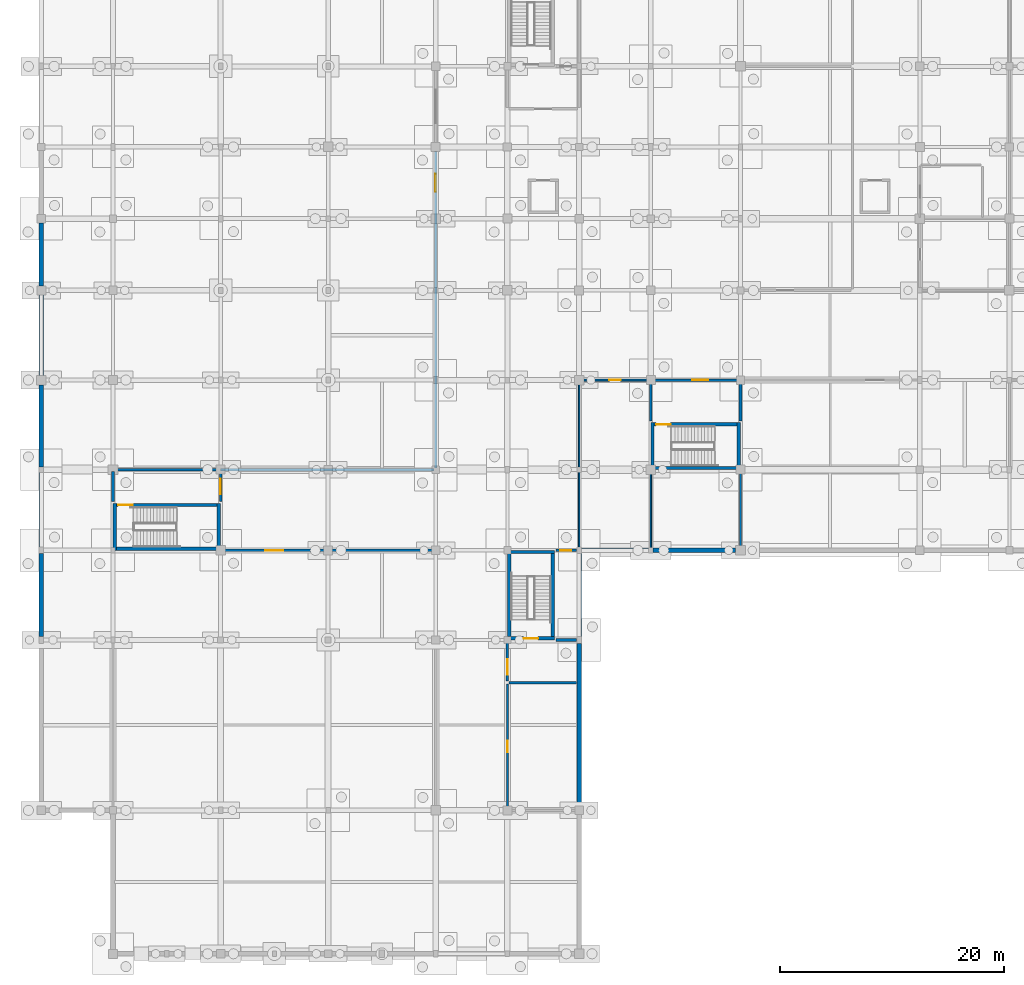
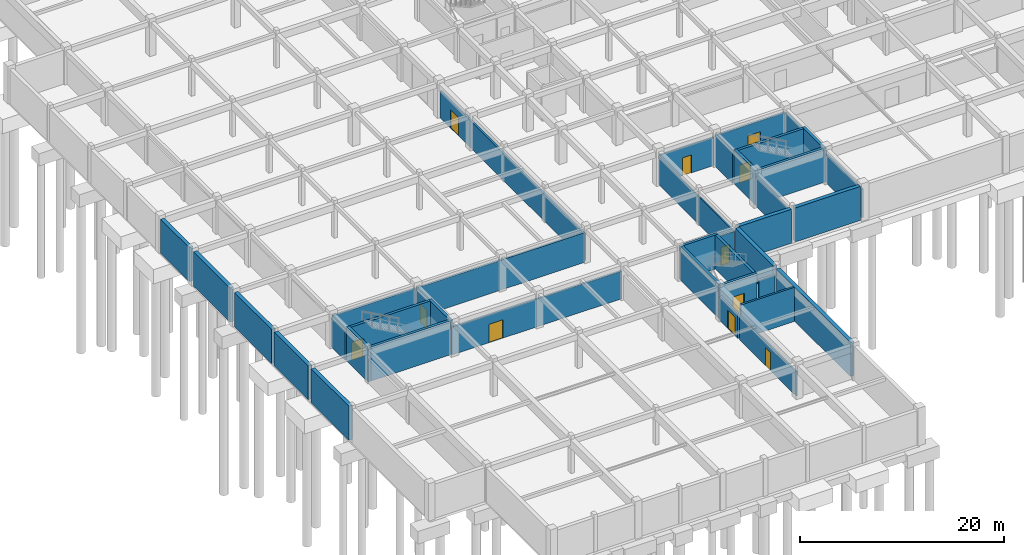
# One storey, part 17 of 28: 39 walls, 11 doors, 11 openings.
"""IFC4 building model written with IfcOpenShell, lengths in metres."""

from ifc_helpers import new_model, si_unit, direction, frame, frame_2d, origin, place, context, subcontext, project, spatial, rectangle, extrude, material, layer, layer_set, type_object, element, fill, save


model = new_model("IFC4")

# Units and contexts
model_context = context("Model", 3, precision=1e-05, world=origin(), true_north=direction((0.0, 1.0)))
body_context = subcontext(model_context, "Body", "Model", "MODEL_VIEW")
ifc_project = project(units=[si_unit("LENGTHUNIT", "METRE"), si_unit("AREAUNIT", "SQUARE_METRE"), si_unit("VOLUMEUNIT", "CUBIC_METRE"), si_unit("PLANEANGLEUNIT", "RADIAN"), si_unit("MASSUNIT", "GRAM", prefix="KILO")], contexts=[model_context])

# Site, building, storey
site_placement = place(None, origin())
site = spatial("IfcSite", under=ifc_project, at=site_placement, CompositionType="ELEMENT")
building_placement = place(site_placement, origin())
building = spatial("IfcBuilding", under=site, at=building_placement, Name="Vellmiral Cinema and Media Centre", CompositionType="ELEMENT")
storey_placement = place(building_placement, frame((0.0, 0.0, -4.5)))
storey = spatial("IfcBuildingStorey", under=building, at=storey_placement, Name="B1", CompositionType="ELEMENT", Elevation=-4.5)

# Walls
ifc_material_1 = material(Name="Concrete C30/37", Category="concrete")
ifc_layer_1 = layer(ifc_material_1, 0.419921875, Name="Concrete C30/37")
ifc_layer_set_1 = layer_set([ifc_layer_1], Name="Concrete C30/37")
wall_type_1 = type_object("IfcWallType", Name="WL-B1-RET-420", PredefinedType="SOLIDWALL", material=ifc_layer_set_1)
wall_1_placement = place(storey_placement, frame((48.0, 13.175048828125, 0.0), z_axis=(0.0, 0.0, 1.0), x_axis=(0.0, 1.0, 0.0)))
element("IfcWall", 1, at=wall_1_placement, inside=storey, type_object=wall_type_1, Name="Basement Retaining Wall B1-010", PredefinedType="SOLIDWALL", context=body_context, shape_type="SweptSolid", body=[
    extrude(rectangle(XDim=14.52490234375, YDim=0.419921875, at=frame_2d((7.262451171875, 0.0))), origin(), (0.0, 0.0, 1.0), 4.080078125),
])
wall_2_placement = place(storey_placement, frame((48.0, 28.300048828125, 0.0), z_axis=(0.0, 0.0, 1.0), x_axis=(0.0, 1.0, 0.0)))
element("IfcWall", 2, at=wall_2_placement, inside=storey, type_object=wall_type_1, Name="Basement Retaining Wall B1-011", PredefinedType="SOLIDWALL", context=body_context, shape_type="SweptSolid", body=[
    extrude(rectangle(XDim=7.39990234375, YDim=0.419921875, at=frame_2d((3.699951171875, 0.0))), origin(), (0.0, 0.0, 1.0), 4.080078125),
])
wall_3_placement = place(storey_placement, frame((48.199951171875, 36.0, 0.0), z_axis=(0.0, 0.0, 1.0), x_axis=(1.0, 0.0, 0.0)))
element("IfcWall", 3, at=wall_3_placement, inside=storey, type_object=wall_type_1, Name="Basement Retaining Wall B1-012", PredefinedType="SOLIDWALL", context=body_context, shape_type="SweptSolid", body=[
    extrude(rectangle(XDim=6.0, YDim=0.419921875, at=frame_2d((3.0, 0.0))), origin(), (0.0, 0.0, 1.0), 4.080078125),
])
wall_4_placement = place(storey_placement, frame((54.60009765625, 36.0, 0.0), z_axis=(0.0, 0.0, 1.0), x_axis=(1.0, 0.0, 0.0)))
element("IfcWall", 4, at=wall_4_placement, inside=storey, type_object=wall_type_1, Name="Basement Retaining Wall B1-013", PredefinedType="SOLIDWALL", context=body_context, shape_type="SweptSolid", body=[
    extrude(rectangle(XDim=7.375, YDim=0.419921875, at=frame_2d((3.6875, 0.0))), origin(), (0.0, 0.0, 1.0), 4.080078125),
])
wall_5_placement = place(storey_placement, frame((0.0, 65.22509765625, 0.0), z_axis=(0.0, 0.0, 1.0), x_axis=(0.0, -1.0, 0.0)))
element("IfcWall", 5, at=wall_5_placement, inside=storey, type_object=wall_type_1, Name="Basement Retaining Wall B1-073", PredefinedType="SOLIDWALL", context=body_context, shape_type="SweptSolid", body=[
    extrude(rectangle(XDim=5.625, YDim=0.419921875, at=frame_2d((2.8125, 0.0))), origin(), (0.0, 0.0, 1.0), 4.080078125),
])
wall_6_placement = place(storey_placement, frame((0.0, 58.800048828125, 0.0), z_axis=(0.0, 0.0, 1.0), x_axis=(0.0, -1.0, 0.0)))
element("IfcWall", 6, at=wall_6_placement, inside=storey, type_object=wall_type_1, Name="Basement Retaining Wall B1-074", PredefinedType="SOLIDWALL", context=body_context, shape_type="SweptSolid", body=[
    extrude(rectangle(XDim=7.175048828125, YDim=0.419921875, at=frame_2d((3.58740234375, 0.0))), origin(), (0.0, 0.0, 1.0), 4.080078125),
])
wall_7_placement = place(storey_placement, frame((0.0, 50.77490234375, 0.0), z_axis=(0.0, 0.0, 1.0), x_axis=(0.0, -1.0, 0.0)))
element("IfcWall", 7, at=wall_7_placement, inside=storey, type_object=wall_type_1, Name="Basement Retaining Wall B1-075", PredefinedType="SOLIDWALL", context=body_context, shape_type="SweptSolid", body=[
    extrude(rectangle(XDim=7.324951171875, YDim=0.419921875, at=frame_2d((3.66259765625, 0.0))), origin(), (0.0, 0.0, 1.0), 4.080078125),
])
wall_8_placement = place(storey_placement, frame((0.0, 42.949951171875, 0.0), z_axis=(0.0, 0.0, 1.0), x_axis=(0.0, -1.0, 0.0)))
element("IfcWall", 8, at=wall_8_placement, inside=storey, type_object=wall_type_1, Name="Basement Retaining Wall B1-076", PredefinedType="SOLIDWALL", context=body_context, shape_type="SweptSolid", body=[
    extrude(rectangle(XDim=6.64990234375, YDim=0.419921875, at=frame_2d((3.324951171875, 0.0))), origin(), (0.0, 0.0, 1.0), 4.080078125),
])
wall_9_placement = place(storey_placement, frame((0.0, 35.699951171875, 0.0), z_axis=(0.0, 0.0, 1.0), x_axis=(0.0, -1.0, 0.0)))
element("IfcWall", 9, at=wall_9_placement, inside=storey, type_object=wall_type_1, Name="Basement Retaining Wall B1-077", PredefinedType="SOLIDWALL", context=body_context, shape_type="SweptSolid", body=[
    extrude(rectangle(XDim=7.39990234375, YDim=0.419921875, at=frame_2d((3.699951171875, 0.0))), origin(), (0.0, 0.0, 1.0), 4.080078125),
])

# Wall, opening, door
ifc_material_2 = material(Name="Concrete C40/50", Category="concrete")
ifc_layer_2 = layer(ifc_material_2, 0.2099609375, Name="Concrete C40/50")
ifc_layer_set_2 = layer_set([ifc_layer_2], Name="Concrete C40/50")
wall_type_2 = type_object("IfcWallType", Name="WL-COMP-210", PredefinedType="SOLIDWALL", material=ifc_layer_set_2)
wall_10_placement = place(storey_placement, frame((45.93994140625, 36.0, 0.0), z_axis=(0.0, 0.0, 1.0), x_axis=(1.0, 0.0, 0.0)))
wall_10 = element("IfcWall", 10, at=wall_10_placement, inside=storey, type_object=wall_type_2, Name="West Core Smoke Riser Room Wall N", PredefinedType="SOLIDWALL", context=body_context, shape_type="SweptSolid", body=[
    extrude(rectangle(XDim=1.8349609375, YDim=0.2099609375, at=frame_2d((0.91748046875, 0.0))), origin(), (0.0, 0.0, 1.0), 3.625),
])
opening_1_placement = place(wall_10_placement, frame((0.360107421875, 0.0, 0.0)))
opening_1 = element("IfcOpeningElement", 11, at=opening_1_placement, cuts=wall_10, Name="Opening D-FD30B", PredefinedType="OPENING", context=body_context, shape_type="SweptSolid", body=[
    extrude(rectangle(XDim=1.0, YDim=2.14990234375, at=frame_2d((0.5, 1.074951171875))), frame((0.0, 0.116943359375, 0.0), z_axis=(0.0, -1.0, 0.0), x_axis=(1.0, 0.0, 0.0)), (0.0, 0.0, 1.0), 0.23388671875),
])
ifc_material_3 = material(Name="Steel Riser Fire Door", Category="steel")
door_type_1 = type_object("IfcDoorType", Name="DR-FD30-1000x2150", OperationType="NOTDEFINED", PredefinedType="DOOR", material=ifc_material_3)
door_1_placement = place(opening_1_placement, frame((1.0, 0.0, 0.0), z_axis=(0.0, 0.0, 1.0), x_axis=(-1.0, 0.0, 0.0)))
door_1 = element("IfcDoor", 12, at=door_1_placement, inside=storey, type_object=door_type_1, Name="West Core Smoke Riser Room Door", OperationType="SINGLE_SWING_RIGHT", OverallHeight=2.14990234375, OverallWidth=1.0, PredefinedType="DOOR", context=body_context, shape_type="SweptSolid", body=[
    extrude(rectangle(XDim=1.0, YDim=2.14990234375, at=frame_2d((0.5, 1.074951171875))), frame((0.0, 0.02490234375, 0.0), z_axis=(0.0, -1.0, 0.0), x_axis=(1.0, 0.0, 0.0)), (0.0, 0.0, 1.0), 0.050048828125),
])
fill(opening_1, door_1)

# Wall
wall_11_placement = place(storey_placement, frame((16.0, 43.199951171875, 0.0), z_axis=(0.0, 0.0, 1.0), x_axis=(1.0, 0.0, 0.0)))
element("IfcWall", 13, at=wall_11_placement, inside=storey, type_object=wall_type_2, Name="Car Park Drive Aisle North-West Wall S", PredefinedType="SOLIDWALL", context=body_context, shape_type="SweptSolid", body=[
    extrude(rectangle(XDim=19.06005859375, YDim=0.2099609375, at=frame_2d((9.530029296875, 0.0))), origin(), (0.0, 0.0, 1.0), 3.574951171875),
])

# Wall, opening, door
wall_12_placement = place(storey_placement, frame((35.199951171875, 43.340087890625, 0.0), z_axis=(0.0, 0.0, 1.0), x_axis=(0.0, 1.0, 0.0)))
wall_12 = element("IfcWall", 14, at=wall_12_placement, inside=storey, type_object=wall_type_2, Name="Car Park Drive Aisle North-West Wall E", PredefinedType="SOLIDWALL", context=body_context, shape_type="SweptSolid", body=[
    extrude(rectangle(XDim=28.260009765625, YDim=0.2099609375, at=frame_2d((14.1298828125, 0.0))), origin(), (0.0, 0.0, 1.0), 3.22509765625),
])
opening_2_placement = place(wall_12_placement, frame((24.659912109375, 0.0, 0.0)))
opening_2 = element("IfcOpeningElement", 15, at=opening_2_placement, cuts=wall_12, Name="Opening D-FD60A", PredefinedType="OPENING", context=body_context, shape_type="SweptSolid", body=[
    extrude(rectangle(XDim=1.60009765625, YDim=2.199951171875, at=frame_2d((0.800048828125, 1.10009765625))), frame((0.0, 0.116943359375, 0.0), z_axis=(0.0, -1.0, 0.0), x_axis=(1.0, 0.0, 0.0)), (0.0, 0.0, 1.0), 0.23388671875),
])
ifc_material_4 = material(Name="Steel Fire Door", Category="steel")
door_type_2 = type_object("IfcDoorType", Name="DR-FD60-1600x2200", OperationType="DOUBLE_DOOR_SINGLE_SWING", PredefinedType="DOOR", material=ifc_material_4)
door_2_placement = place(opening_2_placement, frame((1.60009765625, 0.0, 0.0), z_axis=(0.0, 0.0, 1.0), x_axis=(-1.0, 0.0, 0.0)))
door_2 = element("IfcDoor", 16, at=door_2_placement, inside=storey, type_object=door_type_2, Name="Car Park Drive Aisle North-West Door", OperationType="DOUBLE_DOOR_SINGLE_SWING", OverallHeight=2.199951171875, OverallWidth=1.60009765625, PredefinedType="DOOR", context=body_context, shape_type="SweptSolid", body=[
    extrude(rectangle(XDim=1.60009765625, YDim=2.199951171875, at=frame_2d((0.800048828125, 1.10009765625))), frame((0.0, 0.02490234375, 0.0), z_axis=(0.0, -1.0, 0.0), x_axis=(1.0, 0.0, 0.0)), (0.0, 0.0, 1.0), 0.050048828125),
])
fill(opening_2, door_2)

wall_13_placement = place(storey_placement, frame((15.840087890625, 36.0, 0.0), z_axis=(0.0, 0.0, 1.0), x_axis=(1.0, 0.0, 0.0)))
wall_13 = element("IfcWall", 17, at=wall_13_placement, inside=storey, type_object=wall_type_2, Name="West Underground Car Parking Hall Wall N", PredefinedType="SOLIDWALL", context=body_context, shape_type="SweptSolid", body=[
    extrude(rectangle(XDim=19.219970703125, YDim=0.2099609375, at=frame_2d((9.60986328125, 0.0))), origin(), (0.0, 0.0, 1.0), 3.324951171875),
])
opening_3_placement = place(wall_13_placement, frame((4.159912109375, 0.0, 0.0)))
opening_3 = element("IfcOpeningElement", 18, at=opening_3_placement, cuts=wall_13, Name="Opening D-FD60A", PredefinedType="OPENING", context=body_context, shape_type="SweptSolid", body=[
    extrude(rectangle(XDim=1.60009765625, YDim=2.199951171875, at=frame_2d((0.800048828125, 1.10009765625))), frame((0.0, 0.116943359375, 0.0), z_axis=(0.0, -1.0, 0.0), x_axis=(1.0, 0.0, 0.0)), (0.0, 0.0, 1.0), 0.23388671875),
])
door_3_placement = place(opening_3_placement, origin())
door_3 = element("IfcDoor", 19, at=door_3_placement, inside=storey, type_object=door_type_2, Name="West Underground Car Parking Hall Door", OperationType="DOUBLE_DOOR_SINGLE_SWING", OverallHeight=2.199951171875, OverallWidth=1.60009765625, PredefinedType="DOOR", context=body_context, shape_type="SweptSolid", body=[
    extrude(rectangle(XDim=1.60009765625, YDim=2.199951171875, at=frame_2d((0.800048828125, 1.10009765625))), frame((0.0, 0.02490234375, 0.0), z_axis=(0.0, -1.0, 0.0), x_axis=(1.0, 0.0, 0.0)), (0.0, 0.0, 1.0), 0.050048828125),
])
fill(opening_3, door_3)

# Wall
wall_14_placement = place(storey_placement, frame((62.39990234375, 36.10498046875, 0.0), z_axis=(0.0, 0.0, 1.0), x_axis=(0.0, 1.0, 0.0)))
element("IfcWall", 20, at=wall_14_placement, inside=storey, type_object=wall_type_2, Name="Covered Bicycle Parking Hall Wall W", PredefinedType="SOLIDWALL", context=body_context, shape_type="SweptSolid", body=[
    extrude(rectangle(XDim=6.955078125, YDim=0.2099609375, at=frame_2d((3.4775390625, 0.0))), origin(), (0.0, 0.0, 1.0), 3.425048828125),
])

# Wall, opening, door
ifc_material_5 = material(Name="Concrete C40/50", Category="concrete")
ifc_layer_3 = layer(ifc_material_5, 0.300048828125, Name="Concrete C40/50")
ifc_layer_set_3 = layer_set([ifc_layer_3], Name="Concrete C40/50")
wall_type_3 = type_object("IfcWallType", Name="WL-CORE-300", PredefinedType="SHEAR", material=ifc_layer_set_3)
wall_15_placement = place(storey_placement, frame((41.60009765625, 28.14990234375, 0.0), z_axis=(0.0, 0.0, 1.0), x_axis=(1.0, 0.0, 0.0)))
wall_15 = element("IfcWall", 21, at=wall_15_placement, inside=storey, type_object=wall_type_3, Name="Stair Core Wall ST-P1 B1-S", PredefinedType="SHEAR", context=body_context, shape_type="SweptSolid", body=[
    extrude(rectangle(XDim=4.199951171875, YDim=0.300048828125, at=frame_2d((2.10009765625, 0.0))), origin(), (0.0, 0.0, 1.0), 4.080078125),
])
opening_4_placement = place(wall_15_placement, frame((1.449951171875, 0.0, 0.0)))
opening_4 = element("IfcOpeningElement", 22, at=opening_4_placement, cuts=wall_15, Name="Opening D-FD30A", PredefinedType="OPENING", context=body_context, shape_type="SweptSolid", body=[
    extrude(rectangle(XDim=1.300048828125, YDim=2.179931640625, at=frame_2d((0.64990234375, 1.08984375))), frame((0.0, 0.162109375, 0.0), z_axis=(0.0, -1.0, 0.0), x_axis=(1.0, 0.0, 0.0)), (0.0, 0.0, 1.0), 0.323974609375),
])
ifc_material_6 = material(Name="Steel Stair Fire Door", Category="steel")
door_type_3 = type_object("IfcDoorType", Name="DR-FD30-1300x2180", OperationType="NOTDEFINED", PredefinedType="DOOR", material=ifc_material_6)
door_4_placement = place(opening_4_placement, origin())
door_4 = element("IfcDoor", 23, at=door_4_placement, inside=storey, type_object=door_type_3, Name="Protected Stair Door ST-P1 B1", OperationType="SINGLE_SWING_LEFT", OverallHeight=2.179931640625, OverallWidth=1.300048828125, PredefinedType="DOOR", context=body_context, shape_type="SweptSolid", body=[
    extrude(rectangle(XDim=1.300048828125, YDim=2.179931640625, at=frame_2d((0.64990234375, 1.08984375))), frame((0.0, 0.02490234375, 0.0), z_axis=(0.0, -1.0, 0.0), x_axis=(1.0, 0.0, 0.0)), (0.0, 0.0, 1.0), 0.050048828125),
])
fill(opening_4, door_4)

# Walls
wall_16_placement = place(storey_placement, frame((41.60009765625, 35.85009765625, 0.0), z_axis=(0.0, 0.0, 1.0), x_axis=(1.0, 0.0, 0.0)))
element("IfcWall", 24, at=wall_16_placement, inside=storey, type_object=wall_type_3, Name="Stair Core Wall ST-P1 B1-N", PredefinedType="SHEAR", context=body_context, shape_type="SweptSolid", body=[
    extrude(rectangle(XDim=4.199951171875, YDim=0.300048828125, at=frame_2d((2.10009765625, 0.0))), origin(), (0.0, 0.0, 1.0), 4.080078125),
])
for number, where, z_axis, x_axis, name in (
    (25, (41.75, 28.300048828125, 0.0), (0.0, 0.0, 1.0), (0.0, 1.0, 0.0), "Stair Core Wall ST-P1 B1-W"),
    (26, (45.64990234375, 28.300048828125, 0.0), (0.0, 0.0, 1.0), (0.0, 1.0, 0.0), "Stair Core Wall ST-P1 B1-E"),
):
    element("IfcWall", number, at=place(storey_placement, frame(where, z_axis=z_axis, x_axis=x_axis)), inside=storey, type_object=wall_type_3, Name=name, PredefinedType="SHEAR", context=body_context, shape_type="SweptSolid", body=[
        extrude(rectangle(XDim=7.39990234375, YDim=0.300048828125, at=frame_2d((3.699951171875, 0.0))), origin(), (0.0, 0.0, 1.0), 4.080078125),
    ])
for number, where, z_axis, x_axis, name in (
    (27, (54.550048828125, 43.199951171875, 0.0), (0.0, 0.0, 1.0), (0.0, 1.0, 0.0), "Stair Core Wall ST-P3 B1-W"),
    (28, (62.25, 43.199951171875, 0.0), (0.0, 0.0, 1.0), (0.0, 1.0, 0.0), "Stair Core Wall ST-P3 B1-E"),
):
    element("IfcWall", number, at=place(storey_placement, frame(where, z_axis=z_axis, x_axis=x_axis)), inside=storey, type_object=wall_type_3, Name=name, PredefinedType="SHEAR", context=body_context, shape_type="SweptSolid", body=[
        extrude(rectangle(XDim=4.199951171875, YDim=0.300048828125, at=frame_2d((2.10009765625, 0.0))), origin(), (0.0, 0.0, 1.0), 4.080078125),
    ])
wall_17_placement = place(storey_placement, frame((54.699951171875, 43.35009765625, 0.0), z_axis=(0.0, 0.0, 1.0), x_axis=(1.0, 0.0, 0.0)))
element("IfcWall", 29, at=wall_17_placement, inside=storey, type_object=wall_type_3, Name="Stair Core Wall ST-P3 B1-S", PredefinedType="SHEAR", context=body_context, shape_type="SweptSolid", body=[
    extrude(rectangle(XDim=7.400146484375, YDim=0.300048828125, at=frame_2d((3.7001953125, 0.0))), origin(), (0.0, 0.0, 1.0), 4.080078125),
])

# Wall, opening, door
wall_18_placement = place(storey_placement, frame((54.699951171875, 47.25, 0.0), z_axis=(0.0, 0.0, 1.0), x_axis=(1.0, 0.0, 0.0)))
wall_18 = element("IfcWall", 30, at=wall_18_placement, inside=storey, type_object=wall_type_3, Name="Stair Core Wall ST-P3 B1-N", PredefinedType="SHEAR", context=body_context, shape_type="SweptSolid", body=[
    extrude(rectangle(XDim=7.400146484375, YDim=0.300048828125, at=frame_2d((3.7001953125, 0.0))), origin(), (0.0, 0.0, 1.0), 4.080078125),
])
opening_5_placement = place(wall_18_placement, frame((0.159912109375, 0.0, 0.0)))
opening_5 = element("IfcOpeningElement", 31, at=opening_5_placement, cuts=wall_18, Name="Opening D-FD30A", PredefinedType="OPENING", context=body_context, shape_type="SweptSolid", body=[
    extrude(rectangle(XDim=1.300048828125, YDim=2.179931640625, at=frame_2d((0.64990234375, 1.08984375))), frame((0.0, 0.162109375, 0.0), z_axis=(0.0, -1.0, 0.0), x_axis=(1.0, 0.0, 0.0)), (0.0, 0.0, 1.0), 0.323974609375),
])
door_5_placement = place(opening_5_placement, frame((1.300048828125, 0.0, 0.0), z_axis=(0.0, 0.0, 1.0), x_axis=(-1.0, 0.0, 0.0)))
door_5 = element("IfcDoor", 32, at=door_5_placement, inside=storey, type_object=door_type_3, Name="Protected Stair Door ST-P3 B1", OperationType="SINGLE_SWING_RIGHT", OverallHeight=2.179931640625, OverallWidth=1.300048828125, PredefinedType="DOOR", context=body_context, shape_type="SweptSolid", body=[
    extrude(rectangle(XDim=1.300048828125, YDim=2.179931640625, at=frame_2d((0.64990234375, 1.08984375))), frame((0.0, 0.02490234375, 0.0), z_axis=(0.0, -1.0, 0.0), x_axis=(1.0, 0.0, 0.0)), (0.0, 0.0, 1.0), 0.050048828125),
])
fill(opening_5, door_5)

# Walls
for number, where, z_axis, x_axis, name in (
    (33, (6.550048828125, 36.0, 0.0), (0.0, 0.0, 1.0), (0.0, 1.0, 0.0), "Stair Core Wall ST-P7 B1-W"),
    (34, (15.85009765625, 36.0, 0.0), (0.0, 0.0, 1.0), (0.0, 1.0, 0.0), "Stair Core Wall ST-P7 B1-E"),
):
    element("IfcWall", number, at=place(storey_placement, frame(where, z_axis=z_axis, x_axis=x_axis)), inside=storey, type_object=wall_type_3, Name=name, PredefinedType="SHEAR", context=body_context, shape_type="SweptSolid", body=[
        extrude(rectangle(XDim=4.199951171875, YDim=0.300048828125, at=frame_2d((2.10009765625, 0.0))), origin(), (0.0, 0.0, 1.0), 4.080078125),
    ])
wall_19_placement = place(storey_placement, frame((6.699951171875, 36.14990234375, 0.0), z_axis=(0.0, 0.0, 1.0), x_axis=(1.0, 0.0, 0.0)))
element("IfcWall", 35, at=wall_19_placement, inside=storey, type_object=wall_type_3, Name="Stair Core Wall ST-P7 B1-S", PredefinedType="SHEAR", context=body_context, shape_type="SweptSolid", body=[
    extrude(rectangle(XDim=9.0, YDim=0.300048828125, at=frame_2d((4.5, 0.0))), origin(), (0.0, 0.0, 1.0), 4.080078125),
])

# Wall, opening, door
wall_20_placement = place(storey_placement, frame((6.699951171875, 40.050048828125, 0.0), z_axis=(0.0, 0.0, 1.0), x_axis=(1.0, 0.0, 0.0)))
wall_20 = element("IfcWall", 36, at=wall_20_placement, inside=storey, type_object=wall_type_3, Name="Stair Core Wall ST-P7 B1-N", PredefinedType="SHEAR", context=body_context, shape_type="SweptSolid", body=[
    extrude(rectangle(XDim=9.0, YDim=0.300048828125, at=frame_2d((4.5, 0.0))), origin(), (0.0, 0.0, 1.0), 4.080078125),
])
opening_6_placement = place(wall_20_placement, frame((0.159912109375, 0.0, 0.0)))
opening_6 = element("IfcOpeningElement", 37, at=opening_6_placement, cuts=wall_20, Name="Opening D-FD30A", PredefinedType="OPENING", context=body_context, shape_type="SweptSolid", body=[
    extrude(rectangle(XDim=1.300048828125, YDim=2.179931640625, at=frame_2d((0.64990234375, 1.08984375))), frame((0.0, 0.162109375, 0.0), z_axis=(0.0, -1.0, 0.0), x_axis=(1.0, 0.0, 0.0)), (0.0, 0.0, 1.0), 0.323974609375),
])
door_6_placement = place(opening_6_placement, frame((1.300048828125, 0.0, 0.0), z_axis=(0.0, 0.0, 1.0), x_axis=(-1.0, 0.0, 0.0)))
door_6 = element("IfcDoor", 38, at=door_6_placement, inside=storey, type_object=door_type_3, Name="Protected Stair Door ST-P7 B1", OperationType="SINGLE_SWING_RIGHT", OverallHeight=2.179931640625, OverallWidth=1.300048828125, PredefinedType="DOOR", context=body_context, shape_type="SweptSolid", body=[
    extrude(rectangle(XDim=1.300048828125, YDim=2.179931640625, at=frame_2d((0.64990234375, 1.08984375))), frame((0.0, 0.02490234375, 0.0), z_axis=(0.0, -1.0, 0.0), x_axis=(1.0, 0.0, 0.0)), (0.0, 0.0, 1.0), 0.050048828125),
])
fill(opening_6, door_6)

# Walls
ifc_material_7 = material(Name="Concrete C40/50", Category="concrete")
ifc_layer_4 = layer(ifc_material_7, 0.22998046875, Name="Concrete C40/50")
ifc_layer_set_4 = layer_set([ifc_layer_4], Name="Concrete C40/50")
wall_type_4 = type_object("IfcWallType", Name="WL-FFL-230", PredefinedType="SOLIDWALL", material=ifc_layer_set_4)
wall_21_placement = place(storey_placement, frame((41.739990234375, 24.199951171875, 0.0), z_axis=(0.0, 0.0, 1.0), x_axis=(1.0, 0.0, 0.0)))
element("IfcWall", 39, at=wall_21_placement, inside=storey, type_object=wall_type_4, Name="Firefighting Stair Lobby ST-P1 Wall S", PredefinedType="SOLIDWALL", context=body_context, shape_type="SweptSolid", body=[
    extrude(rectangle(XDim=6.034912109375, YDim=0.22998046875, at=frame_2d((3.017578125, 0.0))), origin(), (0.0, 0.0, 1.0), 4.080078125),
])
wall_22_placement = place(storey_placement, frame((45.93994140625, 28.0, 0.0), z_axis=(0.0, 0.0, 1.0), x_axis=(1.0, 0.0, 0.0)))
element("IfcWall", 40, at=wall_22_placement, inside=storey, type_object=wall_type_4, Name="Firefighting Stair Lobby ST-P1 Wall N", PredefinedType="SOLIDWALL", context=body_context, shape_type="SweptSolid", body=[
    extrude(rectangle(XDim=1.8349609375, YDim=0.22998046875, at=frame_2d((0.91748046875, 0.0))), origin(), (0.0, 0.0, 1.0), 3.22509765625),
])

# Wall, opening, door
wall_23_placement = place(storey_placement, frame((41.60009765625, 24.340087890625, 0.0), z_axis=(0.0, 0.0, 1.0), x_axis=(0.0, 1.0, 0.0)))
wall_23 = element("IfcWall", 41, at=wall_23_placement, inside=storey, type_object=wall_type_4, Name="Firefighting Stair Lobby ST-P1 Wall W", PredefinedType="SOLIDWALL", context=body_context, shape_type="SweptSolid", body=[
    extrude(rectangle(XDim=3.52001953125, YDim=0.22998046875, at=frame_2d((1.760009765625, 0.0))), origin(), (0.0, 0.0, 1.0), 2.925048828125),
])
opening_7_placement = place(wall_23_placement, frame((0.56005859375, 0.0, 0.0)))
opening_7 = element("IfcOpeningElement", 42, at=opening_7_placement, cuts=wall_23, Name="Opening D-FD60B", PredefinedType="OPENING", context=body_context, shape_type="SweptSolid", body=[
    extrude(rectangle(XDim=1.39990234375, YDim=2.199951171875, at=frame_2d((0.699951171875, 1.10009765625))), frame((0.0, 0.126953125, 0.0), z_axis=(0.0, -1.0, 0.0), x_axis=(1.0, 0.0, 0.0)), (0.0, 0.0, 1.0), 0.25390625),
])
ifc_material_8 = material(Name="Steel Fire Door", Category="steel")
door_type_4 = type_object("IfcDoorType", Name="DR-FD60-1400x2200", OperationType="NOTDEFINED", PredefinedType="DOOR", material=ifc_material_8)
door_7_placement = place(opening_7_placement, frame((1.39990234375, 0.0, 0.0), z_axis=(0.0, 0.0, 1.0), x_axis=(-1.0, 0.0, 0.0)))
door_7 = element("IfcDoor", 43, at=door_7_placement, inside=storey, type_object=door_type_4, Name="Firefighting Stair Lobby ST-P1 Door", OperationType="SINGLE_SWING_RIGHT", OverallHeight=2.199951171875, OverallWidth=1.39990234375, PredefinedType="DOOR", context=body_context, shape_type="SweptSolid", body=[
    extrude(rectangle(XDim=1.39990234375, YDim=2.199951171875, at=frame_2d((0.699951171875, 1.10009765625))), frame((0.0, 0.02490234375, 0.0), z_axis=(0.0, -1.0, 0.0), x_axis=(1.0, 0.0, 0.0)), (0.0, 0.0, 1.0), 0.050048828125),
])
fill(opening_7, door_7)

wall_24_placement = place(storey_placement, frame((54.5400390625, 51.199951171875, 0.0), z_axis=(0.0, 0.0, 1.0), x_axis=(1.0, 0.0, 0.0)))
wall_24 = element("IfcWall", 44, at=wall_24_placement, inside=storey, type_object=wall_type_4, Name="Firefighting Stair Lobby ST-P3 Wall N", PredefinedType="SOLIDWALL", context=body_context, shape_type="SweptSolid", body=[
    extrude(rectangle(XDim=7.719970703125, YDim=0.22998046875, at=frame_2d((3.85986328125, 0.0))), origin(), (0.0, 0.0, 1.0), 3.52490234375),
])
opening_8_placement = place(wall_24_placement, frame((3.56005859375, 0.0, 0.0)))
opening_8 = element("IfcOpeningElement", 45, at=opening_8_placement, cuts=wall_24, Name="Opening D-FD60B", PredefinedType="OPENING", context=body_context, shape_type="SweptSolid", body=[
    extrude(rectangle(XDim=1.39990234375, YDim=2.199951171875, at=frame_2d((0.699951171875, 1.10009765625))), frame((0.0, 0.126953125, 0.0), z_axis=(0.0, -1.0, 0.0), x_axis=(1.0, 0.0, 0.0)), (0.0, 0.0, 1.0), 0.25390625),
])
door_8_placement = place(opening_8_placement, frame((1.39990234375, 0.0, 0.0), z_axis=(0.0, 0.0, 1.0), x_axis=(-1.0, 0.0, 0.0)))
door_8 = element("IfcDoor", 46, at=door_8_placement, inside=storey, type_object=door_type_4, Name="Firefighting Stair Lobby ST-P3 Door", OperationType="SINGLE_SWING_LEFT", OverallHeight=2.199951171875, OverallWidth=1.39990234375, PredefinedType="DOOR", context=body_context, shape_type="SweptSolid", body=[
    extrude(rectangle(XDim=1.39990234375, YDim=2.199951171875, at=frame_2d((0.699951171875, 1.10009765625))), frame((0.0, 0.02490234375, 0.0), z_axis=(0.0, -1.0, 0.0), x_axis=(1.0, 0.0, 0.0)), (0.0, 0.0, 1.0), 0.050048828125),
])
fill(opening_8, door_8)

# Walls
wall_25_placement = place(storey_placement, frame((54.39990234375, 47.5400390625, 0.0), z_axis=(0.0, 0.0, 1.0), x_axis=(0.0, 1.0, 0.0)))
element("IfcWall", 47, at=wall_25_placement, inside=storey, type_object=wall_type_4, Name="Firefighting Stair Lobby ST-P3 Wall W", PredefinedType="SOLIDWALL", context=body_context, shape_type="SweptSolid", body=[
    extrude(rectangle(XDim=3.52001953125, YDim=0.22998046875, at=frame_2d((1.760009765625, 0.0))), origin(), (0.0, 0.0, 1.0), 3.625),
])
wall_26_placement = place(storey_placement, frame((62.39990234375, 47.5400390625, 0.0), z_axis=(0.0, 0.0, 1.0), x_axis=(0.0, 1.0, 0.0)))
element("IfcWall", 48, at=wall_26_placement, inside=storey, type_object=wall_type_4, Name="Firefighting Stair Lobby ST-P3 Wall E", PredefinedType="SOLIDWALL", context=body_context, shape_type="SweptSolid", body=[
    extrude(rectangle(XDim=3.52001953125, YDim=0.22998046875, at=frame_2d((1.760009765625, 0.0))), origin(), (0.0, 0.0, 1.0), 3.52490234375),
])
wall_27_placement = place(storey_placement, frame((6.5400390625, 43.199951171875, 0.0), z_axis=(0.0, 0.0, 1.0), x_axis=(1.0, 0.0, 0.0)))
element("IfcWall", 49, at=wall_27_placement, inside=storey, type_object=wall_type_4, Name="Firefighting Stair Lobby ST-P7 Wall N", PredefinedType="SOLIDWALL", context=body_context, shape_type="SweptSolid", body=[
    extrude(rectangle(XDim=9.320068359375, YDim=0.22998046875, at=frame_2d((4.66015625, 0.0))), origin(), (0.0, 0.0, 1.0), 3.574951171875),
])
wall_28_placement = place(storey_placement, frame((6.39990234375, 40.340087890625, 0.0), z_axis=(0.0, 0.0, 1.0), x_axis=(0.0, 1.0, 0.0)))
element("IfcWall", 50, at=wall_28_placement, inside=storey, type_object=wall_type_4, Name="Firefighting Stair Lobby ST-P7 Wall W", PredefinedType="SOLIDWALL", context=body_context, shape_type="SweptSolid", body=[
    extrude(rectangle(XDim=2.719970703125, YDim=0.22998046875, at=frame_2d((1.35986328125, 0.0))), origin(), (0.0, 0.0, 1.0), 3.47509765625),
])

# Wall, opening, door
wall_29_placement = place(storey_placement, frame((16.0, 40.340087890625, 0.0), z_axis=(0.0, 0.0, 1.0), x_axis=(0.0, 1.0, 0.0)))
wall_29 = element("IfcWall", 51, at=wall_29_placement, inside=storey, type_object=wall_type_4, Name="Firefighting Stair Lobby ST-P7 Wall E", PredefinedType="SOLIDWALL", context=body_context, shape_type="SweptSolid", body=[
    extrude(rectangle(XDim=2.719970703125, YDim=0.22998046875, at=frame_2d((1.35986328125, 0.0))), origin(), (0.0, 0.0, 1.0), 3.47509765625),
])
opening_9_placement = place(wall_29_placement, frame((0.659912109375, 0.0, 0.0)))
opening_9 = element("IfcOpeningElement", 52, at=opening_9_placement, cuts=wall_29, Name="Opening D-FD60B", PredefinedType="OPENING", context=body_context, shape_type="SweptSolid", body=[
    extrude(rectangle(XDim=1.39990234375, YDim=2.199951171875, at=frame_2d((0.699951171875, 1.10009765625))), frame((0.0, 0.126953125, 0.0), z_axis=(0.0, -1.0, 0.0), x_axis=(1.0, 0.0, 0.0)), (0.0, 0.0, 1.0), 0.25390625),
])
door_9_placement = place(opening_9_placement, origin())
door_9 = element("IfcDoor", 53, at=door_9_placement, inside=storey, type_object=door_type_4, Name="Firefighting Stair Lobby ST-P7 Door", OperationType="SINGLE_SWING_LEFT", OverallHeight=2.199951171875, OverallWidth=1.39990234375, PredefinedType="DOOR", context=body_context, shape_type="SweptSolid", body=[
    extrude(rectangle(XDim=1.39990234375, YDim=2.199951171875, at=frame_2d((0.699951171875, 1.10009765625))), frame((0.0, 0.02490234375, 0.0), z_axis=(0.0, -1.0, 0.0), x_axis=(1.0, 0.0, 0.0)), (0.0, 0.0, 1.0), 0.050048828125),
])
fill(opening_9, door_9)

# Wall
ifc_material_9 = material(Name="Gypsum Plasterboard")
ifc_layer_5 = layer(ifc_material_9, 0.02490234375, Name="Gypsum Plasterboard", Category="gypsum")
ifc_material_10 = material(Name="Mineral Wool Acoustic Insulation", Category="insulation")
ifc_layer_6 = layer(ifc_material_10, 0.080078125, Name="Mineral Wool Acoustic Insulation", Category="insulation")
ifc_layer_7 = layer(ifc_material_9, 0.02490234375, Name="Gypsum Plasterboard", Category="gypsum")
ifc_layer_set_5 = layer_set([ifc_layer_5, ifc_layer_6, ifc_layer_7], Name="Gypsum Plasterboard")
wall_type_5 = type_object("IfcWallType", Name="WL-PART-130", PredefinedType="PARTITIONING", material=ifc_layer_set_5)
wall_30_placement = place(storey_placement, frame((54.39990234375, 36.22509765625, 0.0), z_axis=(0.0, 0.0, 1.0), x_axis=(0.0, 1.0, 0.0)))
element("IfcWall", 54, at=wall_30_placement, inside=storey, type_object=wall_type_5, Name="Basement Maintenance Equipment Store Wall E", PredefinedType="PARTITIONING", context=body_context, shape_type="SweptSolid", body=[
    extrude(rectangle(XDim=6.8349609375, YDim=0.1298828125, at=frame_2d((3.41748046875, 0.0))), origin(), (0.0, 0.0, 1.0), 3.52490234375),
])

# Wall, opening, door
ifc_material_11 = material(Name="Gypsum Plasterboard")
ifc_layer_8 = layer(ifc_material_11, 0.02490234375, Name="Gypsum Plasterboard", Category="gypsum")
ifc_material_12 = material(Name="Mineral Wool Acoustic Insulation", Category="insulation")
ifc_layer_9 = layer(ifc_material_12, 0.10009765625, Name="Mineral Wool Acoustic Insulation", Category="insulation")
ifc_layer_10 = layer(ifc_material_11, 0.02490234375, Name="Gypsum Plasterboard", Category="gypsum")
ifc_layer_set_6 = layer_set([ifc_layer_8, ifc_layer_9, ifc_layer_10], Name="Gypsum Plasterboard")
wall_type_6 = type_object("IfcWallType", Name="WL-PART-150", PredefinedType="PARTITIONING", material=ifc_layer_set_6)
wall_31_placement = place(storey_placement, frame((41.60009765625, 12.93994140625, 0.0), z_axis=(0.0, 0.0, 1.0), x_axis=(0.0, 1.0, 0.0)))
wall_31 = element("IfcWall", 55, at=wall_31_placement, inside=storey, type_object=wall_type_6, Name="Basement South-West Technical Store Wall W", PredefinedType="PARTITIONING", context=body_context, shape_type="SweptSolid", body=[
    extrude(rectangle(XDim=11.1201171875, YDim=0.14990234375, at=frame_2d((5.56005859375, 0.0))), origin(), (0.0, 0.0, 1.0), 2.925048828125),
])
opening_10_placement = place(wall_31_placement, frame((5.06005859375, 0.0, 0.0)))
opening_10 = element("IfcOpeningElement", 56, at=opening_10_placement, cuts=wall_31, Name="Opening D-I08", PredefinedType="OPENING", context=body_context, shape_type="SweptSolid", body=[
    extrude(rectangle(XDim=1.0, YDim=2.14990234375, at=frame_2d((0.5, 1.074951171875))), frame((0.0, 0.0869140625, 0.0), z_axis=(0.0, -1.0, 0.0), x_axis=(1.0, 0.0, 0.0)), (0.0, 0.0, 1.0), 0.173828125),
])
ifc_material_13 = material(Name="Laminated Timber Door", Category="wood")
door_type_5 = type_object("IfcDoorType", Name="DR-INT-1000x2150", OperationType="NOTDEFINED", PredefinedType="DOOR", material=ifc_material_13)
door_10_placement = place(opening_10_placement, frame((1.0, 0.0, 0.0), z_axis=(0.0, 0.0, 1.0), x_axis=(-1.0, 0.0, 0.0)))
door_10 = element("IfcDoor", 57, at=door_10_placement, inside=storey, type_object=door_type_5, Name="Basement South-West Technical Store Door", OperationType="SINGLE_SWING_RIGHT", OverallHeight=2.14990234375, OverallWidth=1.0, PredefinedType="DOOR", context=body_context, shape_type="SweptSolid", body=[
    extrude(rectangle(XDim=1.0, YDim=2.14990234375, at=frame_2d((0.5, 1.074951171875))), frame((0.0, 0.02490234375, 0.0), z_axis=(0.0, -1.0, 0.0), x_axis=(1.0, 0.0, 0.0)), (0.0, 0.0, 1.0), 0.050048828125),
])
fill(opening_10, door_10)

# Wall
wall_32_placement = place(storey_placement, frame((48.0, 36.22509765625, 0.0), z_axis=(0.0, 0.0, 1.0), x_axis=(0.0, 1.0, 0.0)))
element("IfcWall", 58, at=wall_32_placement, inside=storey, type_object=wall_type_6, Name="Basement Maintenance Equipment Store Wall W", PredefinedType="PARTITIONING", context=body_context, shape_type="SweptSolid", body=[
    extrude(rectangle(XDim=14.8349609375, YDim=0.14990234375, at=frame_2d((7.41748046875, 0.0))), origin(), (0.0, 0.0, 1.0), 3.324951171875),
])

# Wall, opening, door
ifc_material_14 = material(Name="Gypsum Plasterboard")
ifc_layer_11 = layer(ifc_material_14, 0.02490234375, Name="Gypsum Plasterboard", Category="gypsum")
ifc_material_15 = material(Name="Mineral Wool Acoustic Insulation", Category="insulation")
ifc_layer_12 = layer(ifc_material_15, 0.1201171875, Name="Mineral Wool Acoustic Insulation", Category="insulation")
ifc_layer_13 = layer(ifc_material_14, 0.02490234375, Name="Gypsum Plasterboard", Category="gypsum")
ifc_layer_set_7 = layer_set([ifc_layer_11, ifc_layer_12, ifc_layer_13], Name="Gypsum Plasterboard")
wall_type_7 = type_object("IfcWallType", Name="WL-PART-170", PredefinedType="PARTITIONING", material=ifc_layer_set_7)
wall_33_placement = place(storey_placement, frame((48.139892578125, 51.199951171875, 0.0), z_axis=(0.0, 0.0, 1.0), x_axis=(1.0, 0.0, 0.0)))
wall_33 = element("IfcWall", 59, at=wall_33_placement, inside=storey, type_object=wall_type_7, Name="Basement Maintenance Equipment Store Wall N", PredefinedType="PARTITIONING", context=body_context, shape_type="SweptSolid", body=[
    extrude(rectangle(XDim=6.1201171875, YDim=0.169921875, at=frame_2d((3.06005859375, 0.0))), origin(), (0.0, 0.0, 1.0), 3.375),
])
opening_11_placement = place(wall_33_placement, frame((2.56005859375, 0.0, 0.0)))
opening_11 = element("IfcOpeningElement", 60, at=opening_11_placement, cuts=wall_33, Name="Opening D-I08", PredefinedType="OPENING", context=body_context, shape_type="SweptSolid", body=[
    extrude(rectangle(XDim=1.0, YDim=2.14990234375, at=frame_2d((0.5, 1.074951171875))), frame((0.0, 0.096923828125, 0.0), z_axis=(0.0, -1.0, 0.0), x_axis=(1.0, 0.0, 0.0)), (0.0, 0.0, 1.0), 0.19384765625),
])
door_11_placement = place(opening_11_placement, frame((1.0, 0.0, 0.0), z_axis=(0.0, 0.0, 1.0), x_axis=(-1.0, 0.0, 0.0)))
door_11 = element("IfcDoor", 61, at=door_11_placement, inside=storey, type_object=door_type_5, Name="Basement Maintenance Equipment Store Door", OperationType="SINGLE_SWING_LEFT", OverallHeight=2.14990234375, OverallWidth=1.0, PredefinedType="DOOR", context=body_context, shape_type="SweptSolid", body=[
    extrude(rectangle(XDim=1.0, YDim=2.14990234375, at=frame_2d((0.5, 1.074951171875))), frame((0.0, 0.02490234375, 0.0), z_axis=(0.0, -1.0, 0.0), x_axis=(1.0, 0.0, 0.0)), (0.0, 0.0, 1.0), 0.050048828125),
])
fill(opening_11, door_11)

save(model, "model.ifc")
